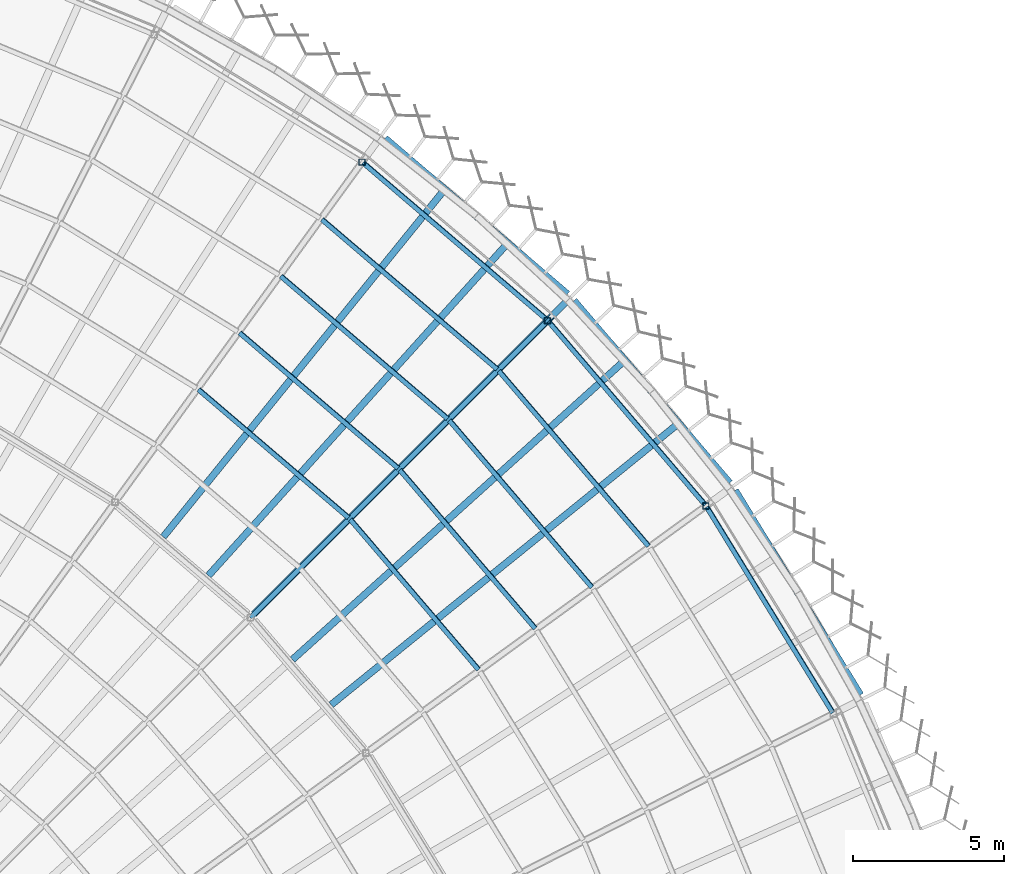
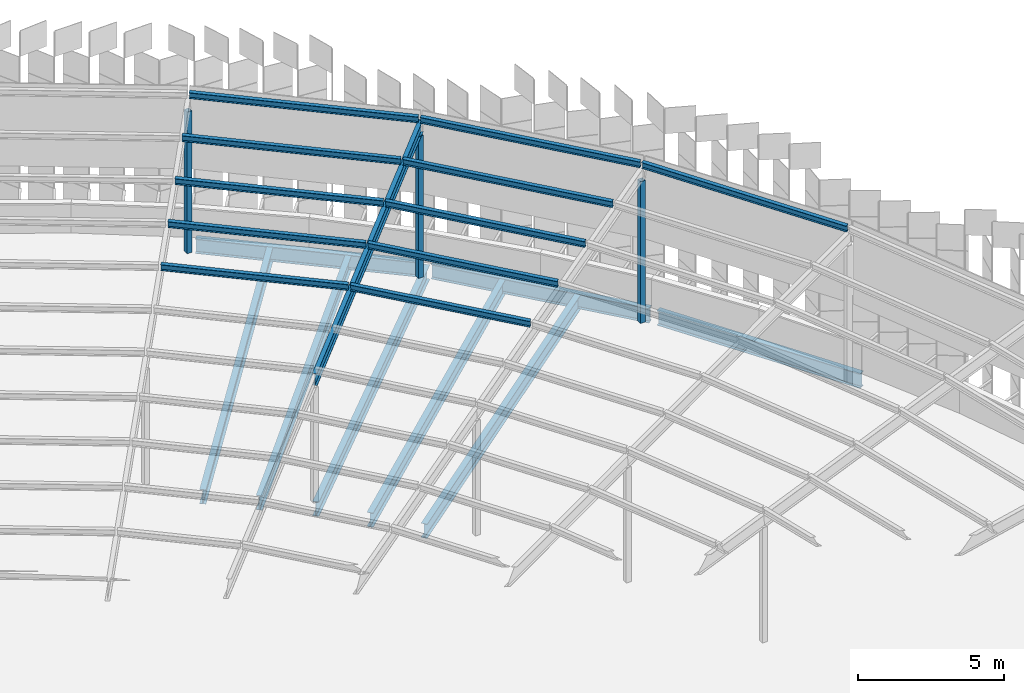
# One storey, part 93 of 483: 15 members, 8 beams.
"""IFC4 building model written with IfcOpenShell, lengths in metres."""

from ifc_helpers import new_model, si_unit, direction, frame, origin, origin_2d, place, context, subcontext, project, spatial, hollow_rectangle, i_section, extrude, material, material_profile, profile_set, type_object, element, save


model = new_model("IFC4")

# Units and contexts
model_context = context("Model", 3, precision=1e-05, world=origin(), true_north=direction((0.0, 1.0)))
body_context = subcontext(model_context, "Body", "Model", "MODEL_VIEW")
ifc_project = project(units=[si_unit("LENGTHUNIT", "METRE"), si_unit("AREAUNIT", "SQUARE_METRE"), si_unit("VOLUMEUNIT", "CUBIC_METRE"), si_unit("PLANEANGLEUNIT", "RADIAN"), si_unit("MASSUNIT", "GRAM", prefix="KILO")], contexts=[model_context])

# Site, building, storey
site_placement = place(None, origin())
site = spatial("IfcSite", under=ifc_project, at=site_placement, CompositionType="ELEMENT")
building_placement = place(site_placement, origin())
building = spatial("IfcBuilding", under=site, at=building_placement, Name="Parallax Yard Mobility Hub", CompositionType="ELEMENT")
storey_placement = place(building_placement, frame((0.0, 0.0, 13.199951171875)))
storey = spatial("IfcBuildingStorey", under=building, at=storey_placement, Name="L04", CompositionType="ELEMENT", Elevation=13.199951171875)

# Members
ifc_material_1 = material(Name="Steel ASTM A500 Gr C", Category="steel")
ifc_material_profile_1 = material_profile(ifc_material_1, hollow_rectangle(XDim=0.203125, YDim=0.203125, WallThickness=0.009521484375, at=origin_2d()), Name="HSS203x203x9.5")
ifc_profile_set_1 = profile_set([ifc_material_profile_1], Name="Steel ASTM A500 Gr C")
member_type_1 = type_object("IfcMemberType", Name="Canopy post HSS203x203x9.5", PredefinedType="POST", material=ifc_profile_set_1)
for number, where, z_axis, x_axis, name in (
    (1, (202.712158203125, 131.58349609375, 0.0), (0.0, 0.0, 1.0), (1.0, 0.0, 0.0), "Canopy post RC/R4"),
    (2, (208.84521484375, 126.34521484375, 0.0), (0.0, 0.0, 1.0), (1.0, 0.0, 0.0), "Canopy post RC/R5"),
    (3, (214.08349609375, 120.212158203125, 0.0), (0.0, 0.0, 1.0), (1.0, 0.0, 0.0), "Canopy post RC/R6"),
):
    element("IfcMember", number, at=place(storey_placement, frame(where, z_axis=z_axis, x_axis=x_axis)), inside=storey, type_object=member_type_1, Name=name, PredefinedType="POST", context=body_context, shape_type="SweptSolid", body=[
        extrude(hollow_rectangle(XDim=0.203125, YDim=0.203125, WallThickness=0.009521484375, at=origin_2d()), origin(), (0.0, 0.0, 1.0), 5.922119140625),
    ])
ifc_material_2 = material(Name="Steel ASTM A992", Category="steel")
ifc_material_profile_2 = material_profile(ifc_material_2, i_section(OverallWidth=0.14794921875, OverallDepth=0.26611328125, WebThickness=0.007568359375, FlangeThickness=0.012939453125, at=origin_2d()), Name="W250x45")
ifc_profile_set_2 = profile_set([ifc_material_profile_2], Name="Steel ASTM A992")
member_type_2 = type_object("IfcMemberType", Name="Canopy purlin W250x45", PredefinedType="PURLIN", material=ifc_profile_set_2)
member_1_placement = place(storey_placement, frame((197.302734375, 124.068603515625, 5.832763671875), z_axis=(0.760416365451, -0.649435871472, 0.0), x_axis=(0.647354853856, 0.757979727869, 0.079990157691)))
element("IfcMember", 4, at=member_1_placement, inside=storey, type_object=member_type_2, Name="Canopy purlin sector R4-R5 line 9", PredefinedType="PURLIN", context=body_context, shape_type="SweptSolid", body=[
    extrude(i_section(OverallWidth=0.14794921875, OverallDepth=0.26611328125, WebThickness=0.007568359375, FlangeThickness=0.012939453125, at=origin_2d()), origin(), (0.0, 0.0, 1.0), 6.53125),
])
member_2_placement = place(storey_placement, frame((198.664306640625, 125.94287109375, 6.01806640625), z_axis=(0.760427592077, -0.649422726126, 0.0), x_axis=(0.647341750633, 0.757990918521, 0.079990157691)))
element("IfcMember", 5, at=member_2_placement, inside=storey, type_object=member_type_2, Name="Canopy purlin sector R4-R5 line 10", PredefinedType="PURLIN", context=body_context, shape_type="SweptSolid", body=[
    extrude(i_section(OverallWidth=0.14794921875, OverallDepth=0.26611328125, WebThickness=0.007568359375, FlangeThickness=0.012939453125, at=origin_2d()), origin(), (0.0, 0.0, 1.0), 6.89501953125),
])
member_3_placement = place(storey_placement, frame((200.026123046875, 127.817138671875, 6.203369140625), z_axis=(0.760392711129, -0.649463567001, 0.0), x_axis=(0.64738246064, 0.757956149344, 0.079990157691)))
element("IfcMember", 6, at=member_3_placement, inside=storey, type_object=member_type_2, Name="Canopy purlin sector R4-R5 line 11", PredefinedType="PURLIN", context=body_context, shape_type="SweptSolid", body=[
    extrude(i_section(OverallWidth=0.14794921875, OverallDepth=0.26611328125, WebThickness=0.007568359375, FlangeThickness=0.012939453125, at=origin_2d()), origin(), (0.0, 0.0, 1.0), 7.258544921875),
])
member_4_placement = place(storey_placement, frame((201.3876953125, 129.69140625, 6.388671875), z_axis=(0.760403995818, -0.649450354642, 0.0), x_axis=(0.647369290618, 0.757967397873, 0.079990157691)))
element("IfcMember", 7, at=member_4_placement, inside=storey, type_object=member_type_2, Name="Canopy purlin sector R4-R5 line 12", PredefinedType="PURLIN", context=body_context, shape_type="SweptSolid", body=[
    extrude(i_section(OverallWidth=0.14794921875, OverallDepth=0.26611328125, WebThickness=0.007568359375, FlangeThickness=0.012939453125, at=origin_2d()), origin(), (0.0, 0.0, 1.0), 7.6220703125),
])
member_5_placement = place(storey_placement, frame((202.74951171875, 131.565673828125, 6.573974609375), z_axis=(0.760401357776, -0.64945344336, 0.0), x_axis=(0.647372369438, 0.757964768284, 0.079990157691)))
element("IfcMember", 8, at=member_5_placement, inside=storey, type_object=member_type_2, Name="Canopy purlin sector R4-R5 line 13", PredefinedType="PURLIN", context=body_context, shape_type="SweptSolid", body=[
    extrude(i_section(OverallWidth=0.14794921875, OverallDepth=0.26611328125, WebThickness=0.007568359375, FlangeThickness=0.012939453125, at=origin_2d()), origin(), (0.0, 0.0, 1.0), 7.985595703125),
])
member_6_placement = place(storey_placement, frame((202.326904296875, 119.769287109375, 5.832763671875), z_axis=(0.649435871472, -0.760416365451, 0.0), x_axis=(0.757979727869, 0.647354853856, 0.079990157691)))
element("IfcMember", 9, at=member_6_placement, inside=storey, type_object=member_type_2, Name="Canopy purlin sector R5-R6 line 9", PredefinedType="PURLIN", context=body_context, shape_type="SweptSolid", body=[
    extrude(i_section(OverallWidth=0.14794921875, OverallDepth=0.26611328125, WebThickness=0.007568359375, FlangeThickness=0.012939453125, at=origin_2d()), origin(), (0.0, 0.0, 1.0), 6.53125),
])
member_7_placement = place(storey_placement, frame((203.965087890625, 121.407470703125, 6.01806640625), z_axis=(0.649422726126, -0.760427592077, 0.0), x_axis=(0.757990918521, 0.647341750633, 0.079990157691)))
element("IfcMember", 10, at=member_7_placement, inside=storey, type_object=member_type_2, Name="Canopy purlin sector R5-R6 line 10", PredefinedType="PURLIN", context=body_context, shape_type="SweptSolid", body=[
    extrude(i_section(OverallWidth=0.14794921875, OverallDepth=0.26611328125, WebThickness=0.007568359375, FlangeThickness=0.012939453125, at=origin_2d()), origin(), (0.0, 0.0, 1.0), 6.89501953125),
])
member_8_placement = place(storey_placement, frame((205.60302734375, 123.04541015625, 6.203369140625), z_axis=(0.649463567001, -0.760392711129, 0.0), x_axis=(0.757956149344, 0.64738246064, 0.079990157691)))
element("IfcMember", 11, at=member_8_placement, inside=storey, type_object=member_type_2, Name="Canopy purlin sector R5-R6 line 11", PredefinedType="PURLIN", context=body_context, shape_type="SweptSolid", body=[
    extrude(i_section(OverallWidth=0.14794921875, OverallDepth=0.26611328125, WebThickness=0.007568359375, FlangeThickness=0.012939453125, at=origin_2d()), origin(), (0.0, 0.0, 1.0), 7.258544921875),
])
member_9_placement = place(storey_placement, frame((207.2412109375, 124.68359375, 6.388671875), z_axis=(0.649450354642, -0.760403995818, 0.0), x_axis=(0.757967397873, 0.647369290618, 0.079990157691)))
element("IfcMember", 12, at=member_9_placement, inside=storey, type_object=member_type_2, Name="Canopy purlin sector R5-R6 line 12", PredefinedType="PURLIN", context=body_context, shape_type="SweptSolid", body=[
    extrude(i_section(OverallWidth=0.14794921875, OverallDepth=0.26611328125, WebThickness=0.007568359375, FlangeThickness=0.012939453125, at=origin_2d()), origin(), (0.0, 0.0, 1.0), 7.6220703125),
])
for number, where, z_axis, x_axis, name in (
    (13, (208.87939453125, 126.32177734375, 6.573974609375), (0.64945344336, -0.760401357776, 0.0), (0.757964768284, 0.647372369438, 0.079990157691), "Canopy purlin sector R5-R6 line 13"),
    (14, (214.113525390625, 120.18359375, 6.573974609375), (0.52248964793, -0.852645628503, 0.0), (0.849913456398, 0.520815410012, 0.079990157691), "Canopy purlin sector R6-R7 line 13"),
):
    element("IfcMember", number, at=place(storey_placement, frame(where, z_axis=z_axis, x_axis=x_axis)), inside=storey, type_object=member_type_2, Name=name, PredefinedType="PURLIN", context=body_context, shape_type="SweptSolid", body=[
        extrude(i_section(OverallWidth=0.14794921875, OverallDepth=0.26611328125, WebThickness=0.007568359375, FlangeThickness=0.012939453125, at=origin_2d()), origin(), (0.0, 0.0, 1.0), 7.985595703125),
    ])
ifc_material_profile_3 = material_profile(ifc_material_2, i_section(OverallWidth=0.166015625, OverallDepth=0.529052734375, WebThickness=0.009765625, FlangeThickness=0.013671875, at=origin_2d()), Name="W530x74")
ifc_profile_set_3 = profile_set([ifc_material_profile_3], Name="Steel ASTM A992")
member_type_3 = type_object("IfcMemberType", Name="Canopy rafter W530x74", PredefinedType="RAFTER", material=ifc_profile_set_3)
member_10_placement = place(storey_placement, frame((199.031494140625, 116.531494140625, 5.067138671875), z_axis=(0.704854733413, 0.704854733413, 0.079747160264), x_axis=(-0.707106781187, 0.707106781187, 0.0)))
element("IfcMember", 15, at=member_10_placement, inside=storey, type_object=member_type_3, Name="Canopy rafter R5 outer span", PredefinedType="RAFTER", context=body_context, shape_type="SweptSolid", body=[
    extrude(i_section(OverallWidth=0.166015625, OverallDepth=0.529052734375, WebThickness=0.009765625, FlangeThickness=0.013671875, at=origin_2d()), origin(), (0.0, 0.0, 1.0), 14.0947265625),
])

# Beams
ifc_material_profile_4 = material_profile(ifc_material_2, i_section(OverallWidth=0.22802734375, OverallDepth=0.60205078125, WebThickness=0.010498046875, FlangeThickness=0.014892578125, FilletRadius=0.0126953125, at=origin_2d()), Name="W610x101")
ifc_profile_set_4 = profile_set([ifc_material_profile_4], Name="Steel ASTM A992")
beam_type_1 = type_object("IfcBeamType", Name="W610x101 secondary beam", PredefinedType="JOIST", material=ifc_profile_set_4)
beam_1_placement = place(storey_placement, frame((196.13720703125, 119.189453125, -0.44091796875), z_axis=(0.629317812071, 0.777148049865, 0.0), x_axis=(-0.777148049865, 0.629317812071, 0.0)))
element("IfcBeam", 16, at=beam_1_placement, inside=storey, type_object=beam_type_1, Name="Secondary beam B3 level L04, radial at 39 degrees of ramped parking decks, span 2", PredefinedType="JOIST", context=body_context, shape_type="SweptSolid", body=[
    extrude(i_section(OverallWidth=0.22802734375, OverallDepth=0.60205078125, WebThickness=0.010498046875, FlangeThickness=0.014892578125, FilletRadius=0.0126953125, at=origin_2d()), origin(), (0.0, 0.0, 1.0), 14.681884765625),
])
for number, where, z_axis, x_axis, name in (
    (17, (197.63232421875, 117.912353515625, -0.44091796875), (0.669130085287, 0.743145294652, 0.0), (-0.743145294652, 0.669130085287, 0.0), "Secondary beam B3 level L04, radial at 42 degrees of ramped parking decks, span 2"),
    (18, (200.412353515625, 115.13232421875, -0.44091796875), (0.743145294652, 0.669130085287, 0.0), (-0.669130085287, 0.743145294652, 0.0), "Secondary beam B3 level L04, radial at 48 degrees of ramped parking decks, span 2"),
):
    element("IfcBeam", number, at=place(storey_placement, frame(where, z_axis=z_axis, x_axis=x_axis)), inside=storey, type_object=beam_type_1, Name=name, PredefinedType="JOIST", context=body_context, shape_type="SweptSolid", body=[
        extrude(i_section(OverallWidth=0.22802734375, OverallDepth=0.60205078125, WebThickness=0.010498046875, FlangeThickness=0.014892578125, FilletRadius=0.0126953125, at=origin_2d()), origin(), (0.0, 0.0, 1.0), 14.681640625),
    ])
beam_2_placement = place(storey_placement, frame((201.689453125, 113.63720703125, -0.44091796875), z_axis=(0.777148049865, 0.629317812071, 0.0), x_axis=(-0.629317812071, 0.777148049865, 0.0)))
element("IfcBeam", 19, at=beam_2_placement, inside=storey, type_object=beam_type_1, Name="Secondary beam B3 level L04, radial at 51 degrees of ramped parking decks, span 2", PredefinedType="JOIST", context=body_context, shape_type="SweptSolid", body=[
    extrude(i_section(OverallWidth=0.22802734375, OverallDepth=0.60205078125, WebThickness=0.010498046875, FlangeThickness=0.014892578125, FilletRadius=0.0126953125, at=origin_2d()), origin(), (0.0, 0.0, 1.0), 14.681884765625),
])
ifc_material_profile_5 = material_profile(ifc_material_2, i_section(OverallWidth=0.22900390625, OverallDepth=0.612060546875, WebThickness=0.011962890625, FlangeThickness=0.01953125, FilletRadius=0.0126953125, at=origin_2d()), Name="W610x125")
ifc_profile_set_5 = profile_set([ifc_material_profile_5], Name="Steel ASTM A992")
beam_type_2 = type_object("IfcBeamType", Name="W610x125 edge beam", PredefinedType="SPANDREL", material=ifc_profile_set_5)
for number, where, z_axis, x_axis, name in (
    (20, (203.47509765625, 132.3740234375, -0.446044921875), (0.76040471034, -0.649449518048, 0.0), (0.649449518048, 0.76040471034, 0.0), "Edge beam SB7 level L04, ring RC of ramped parking decks, span 5"),
    (21, (209.722412109375, 127.0068359375, -0.446044921875), (0.649449518048, -0.76040471034, 0.0), (0.76040471034, 0.649449518048, 0.0), "Edge beam SB7 level L04, ring RC of ramped parking decks, span 6"),
    (22, (215.05322265625, 120.728271484375, -0.446044921875), (0.522511537027, -0.852632214776, 0.0), (0.852632214776, 0.522511537027, 0.0), "Edge beam SB7 level L04, ring RC of ramped parking decks, span 7"),
):
    element("IfcBeam", number, at=place(storey_placement, frame(where, z_axis=z_axis, x_axis=x_axis)), inside=storey, type_object=beam_type_2, Name=name, PredefinedType="SPANDREL", context=body_context, shape_type="SweptSolid", body=[
        extrude(i_section(OverallWidth=0.22900390625, OverallDepth=0.612060546875, WebThickness=0.011962890625, FlangeThickness=0.01953125, FilletRadius=0.0126953125, at=origin_2d()), origin(), (0.0, 0.0, 1.0), 7.932373046875),
    ])
ifc_material_profile_6 = material_profile(ifc_material_2, i_section(OverallWidth=0.22900390625, OverallDepth=0.612060546875, WebThickness=0.011962890625, FlangeThickness=0.01953125, FilletRadius=0.0126953125, at=origin_2d()), Name="W610x125")
ifc_profile_set_6 = profile_set([ifc_material_profile_6], Name="Steel ASTM A992")
beam_type_3 = type_object("IfcBeamType", Name="W610x125 girder", PredefinedType="BEAM", material=ifc_profile_set_6)
beam_3_placement = place(storey_placement, frame((199.132568359375, 116.632568359375, -0.446044921875), z_axis=(0.707106781187, 0.707106781187, 0.0), x_axis=(-0.707106781187, 0.707106781187, 0.0)))
element("IfcBeam", 23, at=beam_3_placement, inside=storey, type_object=beam_type_3, Name="Girder G3 level L04, radial R5 of ramped parking decks, span 1", PredefinedType="BEAM", context=body_context, shape_type="SweptSolid", body=[
    extrude(i_section(OverallWidth=0.22900390625, OverallDepth=0.612060546875, WebThickness=0.011962890625, FlangeThickness=0.01953125, FilletRadius=0.0126953125, at=origin_2d()), origin(), (0.0, 0.0, 1.0), 14.682373046875),
])

save(model, "model.ifc")
